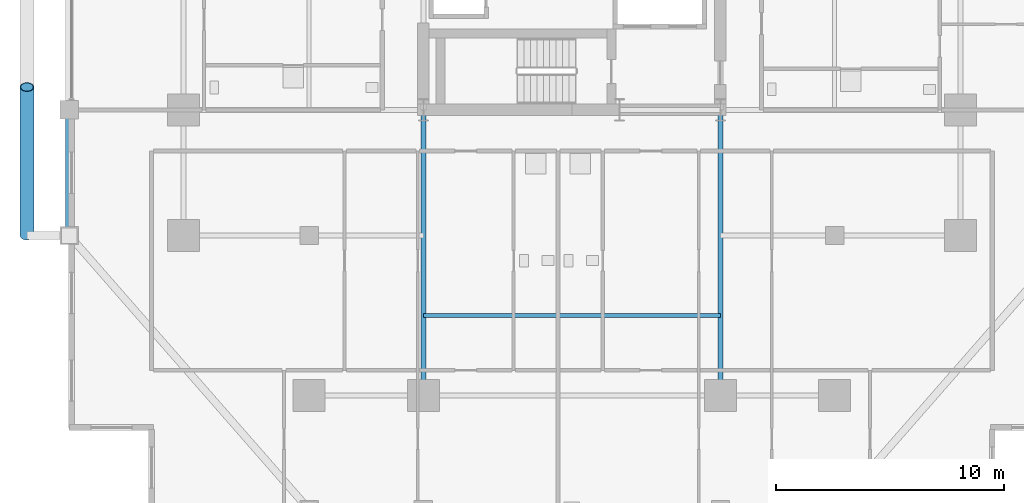
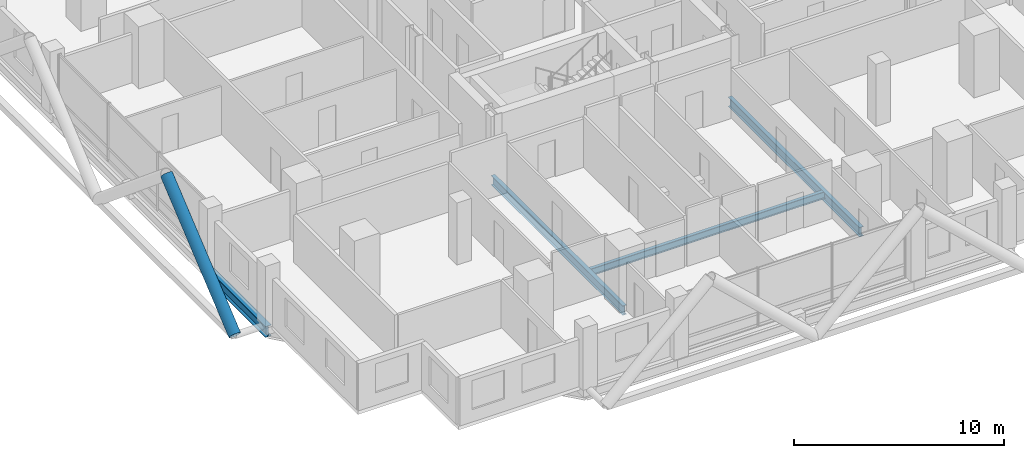
# One storey, part 5 of 27: 4 beams, 1 member.
"""IFC4 building model written with IfcOpenShell, lengths in metres."""

from ifc_helpers import new_model, si_unit, direction, frame, origin, origin_2d, place, context, subcontext, project, spatial, hollow_circle, i_section, extrude, material, material_profile, profile_set, type_object, element, save


model = new_model("IFC4")

# Units and contexts
model_context = context("Model", 3, precision=1e-05, world=origin(), true_north=direction((0.0, 1.0)))
body_context = subcontext(model_context, "Body", "Model", "MODEL_VIEW")
ifc_project = project(units=[si_unit("LENGTHUNIT", "METRE"), si_unit("AREAUNIT", "SQUARE_METRE"), si_unit("VOLUMEUNIT", "CUBIC_METRE"), si_unit("PLANEANGLEUNIT", "RADIAN"), si_unit("MASSUNIT", "GRAM", prefix="KILO")], contexts=[model_context])

# Site, building, storey
site_placement = place(None, origin())
site = spatial("IfcSite", under=ifc_project, at=site_placement, CompositionType="ELEMENT")
building_placement = place(site_placement, origin())
building = spatial("IfcBuilding", under=site, at=building_placement, Name="Barlavira Tower and Art Museum", CompositionType="ELEMENT")
storey_placement = place(building_placement, frame((0.0, 0.0, 72.0)))
storey = spatial("IfcBuildingStorey", under=building, at=storey_placement, Name="L17", CompositionType="ELEMENT", Elevation=72.0)

# Member
ifc_material = material(Name="Steel S355", Category="steel")
ifc_material_profile_1 = material_profile(ifc_material, hollow_circle(Radius=0.304931640625, WallThickness=0.028076171875, at=origin_2d()), Name="CHS 610.0x28.0")
ifc_profile_set_1 = profile_set([ifc_material_profile_1], Name="Steel S355")
member_type = type_object("IfcMemberType", Name="Pale-Metal Exoskeleton Diagrid Tube CHS 610x28 Steel S355", PredefinedType="BRACE", material=ifc_profile_set_1)
member_placement = place(storey_placement, frame((-23.85009765625, -13.0, -0.1201171875), z_axis=(0.0, 0.76918185268, 0.639029950399), x_axis=(-1.0, 0.0, 0.0)))
element("IfcMember", 1, at=member_placement, inside=storey, type_object=member_type, Name="L17 Exoskeleton Diagrid Tube W", PredefinedType="BRACE", context=body_context, shape_type="SweptSolid", body=[
    extrude(hollow_circle(Radius=0.304931640625, WallThickness=0.028076171875, at=origin_2d()), origin(), (0.0, 0.0, 1.0), 8.450439453125),
])

# Beams
ifc_material_profile_2 = material_profile(ifc_material, i_section(OverallWidth=0.327880859375, OverallDepth=0.62890625, WebThickness=0.013916015625, FlangeThickness=0.021484375, at=origin_2d()), Name="W610x174.0")
ifc_profile_set_2 = profile_set([ifc_material_profile_2], Name="Steel S355")
beam_type_1 = type_object("IfcBeamType", Name="Perimeter Spandrel Edge Beam W610x174 Steel S355", PredefinedType="SPANDREL", material=ifc_profile_set_2)
beam_1_placement = place(storey_placement, frame((-22.0, -13.0, -0.534423828125), z_axis=(0.0, 1.0, 0.0), x_axis=(-1.0, 0.0, 0.0)))
element("IfcBeam", 2, at=beam_1_placement, inside=storey, type_object=beam_type_1, Name="L17 Spandrel 15", PredefinedType="SPANDREL", context=body_context, shape_type="SweptSolid", body=[
    extrude(i_section(OverallWidth=0.327880859375, OverallDepth=0.62890625, WebThickness=0.013916015625, FlangeThickness=0.021484375, at=origin_2d()), origin(), (0.0, 0.0, 1.0), 5.5),
])
ifc_material_profile_3 = material_profile(ifc_material, i_section(OverallWidth=0.180908203125, OverallDepth=0.4169921875, WebThickness=0.010986328125, FlangeThickness=0.018310546875, at=origin_2d()), Name="W410x85.0")
ifc_profile_set_3 = profile_set([ifc_material_profile_3], Name="Steel S355")
beam_type_2 = type_object("IfcBeamType", Name="Zone 1 Composite Floor Joist W410x85 Steel S355", PredefinedType="JOIST", material=ifc_profile_set_3)
beam_2_placement = place(storey_placement, frame((-6.5, -16.5, -0.428466796875), z_axis=(1.0, 0.0, 0.0), x_axis=(0.0, 1.0, 0.0)))
element("IfcBeam", 3, at=beam_2_placement, inside=storey, type_object=beam_type_2, Name="L17 Joist C1", PredefinedType="JOIST", context=body_context, shape_type="SweptSolid", body=[
    extrude(i_section(OverallWidth=0.180908203125, OverallDepth=0.4169921875, WebThickness=0.010986328125, FlangeThickness=0.018310546875, at=origin_2d()), origin(), (0.0, 0.0, 1.0), 13.0),
])
ifc_material_profile_4 = material_profile(ifc_material, i_section(OverallWidth=0.214111328125, OverallDepth=0.549072265625, WebThickness=0.0146484375, FlangeThickness=0.023681640625, at=origin_2d()), Name="W530x138.0")
ifc_profile_set_4 = profile_set([ifc_material_profile_4], Name="Steel S355")
beam_type_3 = type_object("IfcBeamType", Name="Zone 1 Primary Floor Girder W530x138 Steel S355", PredefinedType="BEAM", material=ifc_profile_set_4)
for number, where, z_axis, x_axis, name in (
    (4, (-6.5, -20.0, -0.494384765625), (0.0, 1.0, 0.0), (-1.0, 0.0, 0.0), "L17 Girder R-S1"),
    (5, (6.5, -20.0, -0.494384765625), (0.0, 1.0, 0.0), (-1.0, 0.0, 0.0), "L17 Girder R-S2"),
):
    element("IfcBeam", number, at=place(storey_placement, frame(where, z_axis=z_axis, x_axis=x_axis)), inside=storey, type_object=beam_type_3, Name=name, PredefinedType="BEAM", context=body_context, shape_type="SweptSolid", body=[
        extrude(i_section(OverallWidth=0.214111328125, OverallDepth=0.549072265625, WebThickness=0.0146484375, FlangeThickness=0.023681640625, at=origin_2d()), origin(), (0.0, 0.0, 1.0), 12.5),
    ])

save(model, "model.ifc")
